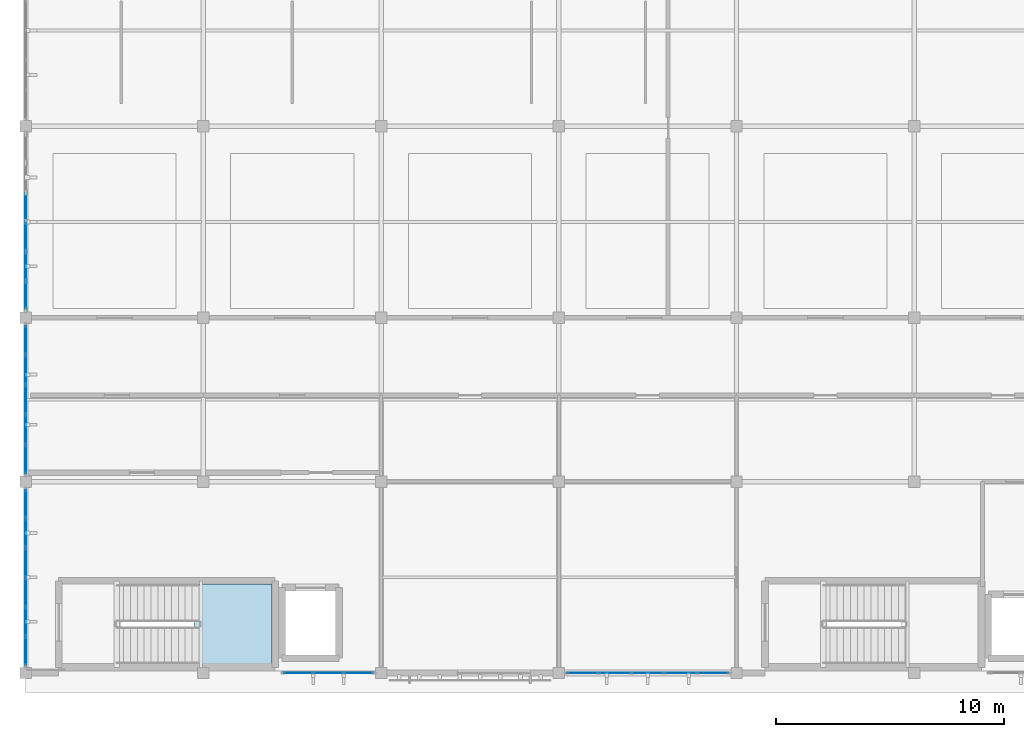
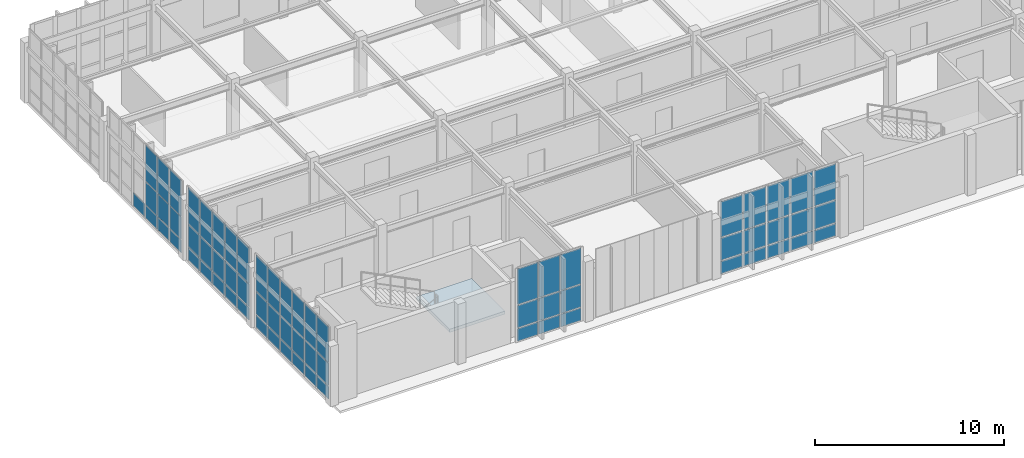
# One storey, part 9 of 20: 67 plates, 1 slab, 6 elements without a shape of their own.
"""IFC4 building model written with IfcOpenShell, lengths in metres."""

from ifc_helpers import new_model, si_unit, direction, frame, origin, origin_2d, place, context, subcontext, project, spatial, polyline, rectangle, outline, extrude, material, layer, layer_set, type_object, element, aggregate, save


model = new_model("IFC4")

# Units and contexts
model_context = context("Model", 3, precision=1e-05, world=origin(), true_north=direction((0.0, 1.0)))
body_context = subcontext(model_context, "Body", "Model", "MODEL_VIEW")
ifc_project = project(units=[si_unit("LENGTHUNIT", "METRE"), si_unit("AREAUNIT", "SQUARE_METRE"), si_unit("VOLUMEUNIT", "CUBIC_METRE"), si_unit("PLANEANGLEUNIT", "RADIAN"), si_unit("MASSUNIT", "GRAM", prefix="KILO")], contexts=[model_context])

# Site, building, storey
site_placement = place(None, origin())
site = spatial("IfcSite", under=ifc_project, at=site_placement, CompositionType="ELEMENT")
building_placement = place(site_placement, origin())
building = spatial("IfcBuilding", under=site, at=building_placement, Name="Tizgana Railside Sports Hall", CompositionType="ELEMENT")
storey_placement = place(building_placement, frame((0.0, 0.0, 19.800048828125)))
storey = spatial("IfcBuildingStorey", under=building, at=storey_placement, Name="L04", CompositionType="ELEMENT", Elevation=19.800048828125)

# Curtain wall, plates
ifc_material_1 = material(Name="Anodised aluminium and glass", Category="aluminium")
curtain_wall_type_1 = type_object("IfcCurtainWallType", Name="Unitised Curtain Wall Passage 1800", PredefinedType="NOTDEFINED", material=ifc_material_1)
curtain_wall_1_placement = place(storey_placement, origin())
curtain_wall_1 = element("IfcCurtainWall", 1, at=curtain_wall_1_placement, inside=storey, type_object=curtain_wall_type_1, Name="L04 Curtain Wall CW-0141", PredefinedType="NOTDEFINED")
ifc_material_2 = material(Name="Double low-E laminated glass", Category="glass")
ifc_layer_1 = layer(ifc_material_2, 0.033935546875, Name="Double low-E laminated glass")
ifc_layer_set_1 = layer_set([ifc_layer_1], Name="Double low-E laminated glass")
plate_type_1 = type_object("IfcPlateType", Name="Acoustic Laminated Glazing Panel 34", PredefinedType="CURTAIN_PANEL", material=ifc_layer_set_1)
plate_1_placement = place(storey_placement, frame((7.800048828125, 7.4296875, 0.06494140625), z_axis=(0.0, 0.0, 1.0), x_axis=(0.0, -1.0, 0.0)))
plate_1 = element("IfcPlate", 2, at=plate_1_placement, type_object=plate_type_1, Name="CW-06 panel 1.1", PredefinedType="CURTAIN_PANEL", context=body_context, shape_type="SweptSolid", body=[
    extrude(rectangle(XDim=1.200927734375, YDim=0.033935546875, at=origin_2d()), origin(), (0.0, 0.0, 1.0), 0.802490234375),
])
plate_2_placement = place(storey_placement, frame((7.800048828125, 7.4296875, 0.932373046875), z_axis=(0.0, 0.0, 1.0), x_axis=(0.0, -1.0, 0.0)))
plate_2 = element("IfcPlate", 3, at=plate_2_placement, type_object=plate_type_1, Name="CW-06 panel 1.2", PredefinedType="CURTAIN_PANEL", context=body_context, shape_type="SweptSolid", body=[
    extrude(rectangle(XDim=1.200927734375, YDim=0.033935546875, at=origin_2d()), origin(), (0.0, 0.0, 1.0), 1.43505859375),
])
plate_3_placement = place(storey_placement, frame((7.800048828125, 7.4296875, 2.4326171875), z_axis=(0.0, 0.0, 1.0), x_axis=(0.0, -1.0, 0.0)))
plate_3 = element("IfcPlate", 4, at=plate_3_placement, type_object=plate_type_1, Name="CW-06 panel 1.3", PredefinedType="CURTAIN_PANEL", context=body_context, shape_type="SweptSolid", body=[
    extrude(rectangle(XDim=1.200927734375, YDim=0.033935546875, at=origin_2d()), origin(), (0.0, 0.0, 1.0), 2.302490234375),
])
plate_4_placement = place(storey_placement, frame((7.800048828125, 6.1474609375, 0.06494140625), z_axis=(0.0, 0.0, 1.0), x_axis=(0.0, -1.0, 0.0)))
plate_4 = element("IfcPlate", 5, at=plate_4_placement, type_object=plate_type_1, Name="CW-06 panel 2.1", PredefinedType="CURTAIN_PANEL", context=body_context, shape_type="SweptSolid", body=[
    extrude(rectangle(XDim=1.2333984375, YDim=0.033935546875, at=origin_2d()), origin(), (0.0, 0.0, 1.0), 0.802490234375),
])
plate_5_placement = place(storey_placement, frame((7.800048828125, 6.1474609375, 0.932373046875), z_axis=(0.0, 0.0, 1.0), x_axis=(0.0, -1.0, 0.0)))
plate_5 = element("IfcPlate", 6, at=plate_5_placement, type_object=plate_type_1, Name="CW-06 panel 2.2", PredefinedType="CURTAIN_PANEL", context=body_context, shape_type="SweptSolid", body=[
    extrude(rectangle(XDim=1.2333984375, YDim=0.033935546875, at=origin_2d()), origin(), (0.0, 0.0, 1.0), 1.43505859375),
])
plate_6_placement = place(storey_placement, frame((7.800048828125, 6.1474609375, 2.4326171875), z_axis=(0.0, 0.0, 1.0), x_axis=(0.0, -1.0, 0.0)))
plate_6 = element("IfcPlate", 7, at=plate_6_placement, type_object=plate_type_1, Name="CW-06 panel 2.3", PredefinedType="CURTAIN_PANEL", context=body_context, shape_type="SweptSolid", body=[
    extrude(rectangle(XDim=1.2333984375, YDim=0.033935546875, at=origin_2d()), origin(), (0.0, 0.0, 1.0), 2.302490234375),
])
plate_7_placement = place(storey_placement, frame((7.800048828125, 4.84912109375, 0.06494140625), z_axis=(0.0, 0.0, 1.0), x_axis=(0.0, -1.0, 0.0)))
plate_7 = element("IfcPlate", 8, at=plate_7_placement, type_object=plate_type_1, Name="CW-06 panel 3.1", PredefinedType="CURTAIN_PANEL", context=body_context, shape_type="SweptSolid", body=[
    extrude(rectangle(XDim=1.2333984375, YDim=0.033935546875, at=origin_2d()), origin(), (0.0, 0.0, 1.0), 0.802490234375),
])
plate_8_placement = place(storey_placement, frame((7.800048828125, 4.84912109375, 0.932373046875), z_axis=(0.0, 0.0, 1.0), x_axis=(0.0, -1.0, 0.0)))
plate_8 = element("IfcPlate", 9, at=plate_8_placement, type_object=plate_type_1, Name="CW-06 panel 3.2", PredefinedType="CURTAIN_PANEL", context=body_context, shape_type="SweptSolid", body=[
    extrude(rectangle(XDim=1.2333984375, YDim=0.033935546875, at=origin_2d()), origin(), (0.0, 0.0, 1.0), 1.43505859375),
])
plate_9_placement = place(storey_placement, frame((7.800048828125, 4.84912109375, 2.4326171875), z_axis=(0.0, 0.0, 1.0), x_axis=(0.0, -1.0, 0.0)))
plate_9 = element("IfcPlate", 10, at=plate_9_placement, type_object=plate_type_1, Name="CW-06 panel 3.3", PredefinedType="CURTAIN_PANEL", context=body_context, shape_type="SweptSolid", body=[
    extrude(rectangle(XDim=1.2333984375, YDim=0.033935546875, at=origin_2d()), origin(), (0.0, 0.0, 1.0), 2.302490234375),
])
plate_10_placement = place(storey_placement, frame((7.800048828125, 3.55078125, 0.06494140625), z_axis=(0.0, 0.0, 1.0), x_axis=(0.0, -1.0, 0.0)))
plate_10 = element("IfcPlate", 11, at=plate_10_placement, type_object=plate_type_1, Name="CW-06 panel 4.1", PredefinedType="CURTAIN_PANEL", context=body_context, shape_type="SweptSolid", body=[
    extrude(rectangle(XDim=1.2333984375, YDim=0.033935546875, at=origin_2d()), origin(), (0.0, 0.0, 1.0), 0.802490234375),
])
plate_11_placement = place(storey_placement, frame((7.800048828125, 3.55078125, 0.932373046875), z_axis=(0.0, 0.0, 1.0), x_axis=(0.0, -1.0, 0.0)))
plate_11 = element("IfcPlate", 12, at=plate_11_placement, type_object=plate_type_1, Name="CW-06 panel 4.2", PredefinedType="CURTAIN_PANEL", context=body_context, shape_type="SweptSolid", body=[
    extrude(rectangle(XDim=1.2333984375, YDim=0.033935546875, at=origin_2d()), origin(), (0.0, 0.0, 1.0), 1.43505859375),
])
plate_12_placement = place(storey_placement, frame((7.800048828125, 3.55078125, 2.4326171875), z_axis=(0.0, 0.0, 1.0), x_axis=(0.0, -1.0, 0.0)))
plate_12 = element("IfcPlate", 13, at=plate_12_placement, type_object=plate_type_1, Name="CW-06 panel 4.3", PredefinedType="CURTAIN_PANEL", context=body_context, shape_type="SweptSolid", body=[
    extrude(rectangle(XDim=1.2333984375, YDim=0.033935546875, at=origin_2d()), origin(), (0.0, 0.0, 1.0), 2.302490234375),
])
plate_13_placement = place(storey_placement, frame((7.800048828125, 2.25244140625, 0.06494140625), z_axis=(0.0, 0.0, 1.0), x_axis=(0.0, -1.0, 0.0)))
plate_13 = element("IfcPlate", 14, at=plate_13_placement, type_object=plate_type_1, Name="CW-06 panel 5.1", PredefinedType="CURTAIN_PANEL", context=body_context, shape_type="SweptSolid", body=[
    extrude(rectangle(XDim=1.2333984375, YDim=0.033935546875, at=origin_2d()), origin(), (0.0, 0.0, 1.0), 0.802490234375),
])
plate_14_placement = place(storey_placement, frame((7.800048828125, 2.25244140625, 0.932373046875), z_axis=(0.0, 0.0, 1.0), x_axis=(0.0, -1.0, 0.0)))
plate_14 = element("IfcPlate", 15, at=plate_14_placement, type_object=plate_type_1, Name="CW-06 panel 5.2", PredefinedType="CURTAIN_PANEL", context=body_context, shape_type="SweptSolid", body=[
    extrude(rectangle(XDim=1.2333984375, YDim=0.033935546875, at=origin_2d()), origin(), (0.0, 0.0, 1.0), 1.43505859375),
])
plate_15_placement = place(storey_placement, frame((7.800048828125, 2.25244140625, 2.4326171875), z_axis=(0.0, 0.0, 1.0), x_axis=(0.0, -1.0, 0.0)))
plate_15 = element("IfcPlate", 16, at=plate_15_placement, type_object=plate_type_1, Name="CW-06 panel 5.3", PredefinedType="CURTAIN_PANEL", context=body_context, shape_type="SweptSolid", body=[
    extrude(rectangle(XDim=1.2333984375, YDim=0.033935546875, at=origin_2d()), origin(), (0.0, 0.0, 1.0), 2.302490234375),
])
plate_16_placement = place(storey_placement, frame((7.800048828125, 0.970458984375, 0.06494140625), z_axis=(0.0, 0.0, 1.0), x_axis=(0.0, -1.0, 0.0)))
plate_16 = element("IfcPlate", 17, at=plate_16_placement, type_object=plate_type_1, Name="CW-06 panel 6.1", PredefinedType="CURTAIN_PANEL", context=body_context, shape_type="SweptSolid", body=[
    extrude(rectangle(XDim=1.200927734375, YDim=0.033935546875, at=origin_2d()), origin(), (0.0, 0.0, 1.0), 0.802490234375),
])
plate_17_placement = place(storey_placement, frame((7.800048828125, 0.970458984375, 0.932373046875), z_axis=(0.0, 0.0, 1.0), x_axis=(0.0, -1.0, 0.0)))
plate_17 = element("IfcPlate", 18, at=plate_17_placement, type_object=plate_type_1, Name="CW-06 panel 6.2", PredefinedType="CURTAIN_PANEL", context=body_context, shape_type="SweptSolid", body=[
    extrude(rectangle(XDim=1.200927734375, YDim=0.033935546875, at=origin_2d()), origin(), (0.0, 0.0, 1.0), 1.43505859375),
])
plate_18_placement = place(storey_placement, frame((7.800048828125, 0.970458984375, 2.4326171875), z_axis=(0.0, 0.0, 1.0), x_axis=(0.0, -1.0, 0.0)))
plate_18 = element("IfcPlate", 19, at=plate_18_placement, type_object=plate_type_1, Name="CW-06 panel 6.3", PredefinedType="CURTAIN_PANEL", context=body_context, shape_type="SweptSolid", body=[
    extrude(rectangle(XDim=1.200927734375, YDim=0.033935546875, at=origin_2d()), origin(), (0.0, 0.0, 1.0), 2.302490234375),
])
aggregate(curtain_wall_1, [plate_1, plate_2, plate_3, plate_4, plate_5, plate_6, plate_7, plate_8, plate_9, plate_10, plate_11, plate_12, plate_13, plate_14, plate_15, plate_16, plate_17, plate_18])

# Stair, slab
ifc_material_3 = material(Name="Concrete C35/45", Category="concrete")
stair_type = type_object("IfcStairType", Name="Core Protected Stair 1500", PredefinedType="HALF_TURN_STAIR", material=ifc_material_3)
stair_placement = place(storey_placement, origin())
stair = element("IfcStair", 20, at=stair_placement, inside=storey, type_object=stair_type, Name="L04 Core Stair ST-01", PredefinedType="HALF_TURN_STAIR")
ifc_layer_2 = layer(ifc_material_3, 0.199951171875, Name="Concrete C35/45")
ifc_layer_set_2 = layer_set([ifc_layer_2], Name="Concrete C35/45")
slab_type = type_object("IfcSlabType", Name="Core Stair Landing Slab 200", PredefinedType="LANDING", material=ifc_layer_set_2)
slab_placement = place(storey_placement, frame((0.0, 0.0, 1.75)))
slab = element("IfcSlab", 21, at=slab_placement, type_object=slab_type, Name="ST-01 landing 1", PredefinedType="LANDING", context=body_context, shape_type="SweptSolid", body=[
    extrude(outline(polyline([(15.219970703125, 0.39990234375), (18.60009765625, 0.39990234375), (18.60009765625, 3.89990234375), (15.219970703125, 3.89990234375), (15.219970703125, 0.39990234375)])), origin(), (0.0, 0.0, 1.0), 0.199951171875),
])
aggregate(stair, [slab])

# Curtain wall, plates
curtain_wall_type_2 = type_object("IfcCurtainWallType", Name="Unitised Curtain Wall WestHall 1560", PredefinedType="NOTDEFINED", material=ifc_material_1)
curtain_wall_2_placement = place(storey_placement, origin())
curtain_wall_2 = element("IfcCurtainWall", 22, at=curtain_wall_2_placement, inside=storey, type_object=curtain_wall_type_2, Name="L04 Curtain Wall CW-0134", PredefinedType="NOTDEFINED")
ifc_layer_3 = layer(ifc_material_2, 0.0400390625, Name="Double low-E laminated glass")
ifc_layer_set_3 = layer_set([ifc_layer_3], Name="Double low-E laminated glass")
plate_type_2 = type_object("IfcPlateType", Name="High-Span Tempered Glazing Panel 40", PredefinedType="CURTAIN_PANEL", material=ifc_layer_set_3)
plate_19_placement = place(storey_placement, frame((22.410888671875, 0.0, 0.059814453125), z_axis=(0.0, 0.0, 1.0), x_axis=(-1.0, 0.0, 0.0)))
plate_19 = element("IfcPlate", 23, at=plate_19_placement, type_object=plate_type_2, Name="CW-07 panel 1.1", PredefinedType="CURTAIN_PANEL", context=body_context, shape_type="SweptSolid", body=[
    extrude(rectangle(XDim=1.248291015625, YDim=0.0400390625, at=origin_2d()), origin(), (0.0, 0.0, 1.0), 0.81005859375),
])
plate_20_placement = place(storey_placement, frame((22.410888671875, 0.0, 0.929931640625), z_axis=(0.0, 0.0, 1.0), x_axis=(-1.0, 0.0, 0.0)))
plate_20 = element("IfcPlate", 24, at=plate_20_placement, type_object=plate_type_2, Name="CW-07 panel 1.2", PredefinedType="CURTAIN_PANEL", context=body_context, shape_type="SweptSolid", body=[
    extrude(rectangle(XDim=1.248291015625, YDim=0.0400390625, at=origin_2d()), origin(), (0.0, 0.0, 1.0), 1.43994140625),
])
plate_21_placement = place(storey_placement, frame((22.410888671875, 0.0, 2.429931640625), z_axis=(0.0, 0.0, 1.0), x_axis=(-1.0, 0.0, 0.0)))
plate_21 = element("IfcPlate", 25, at=plate_21_placement, type_object=plate_type_2, Name="CW-07 panel 1.3", PredefinedType="CURTAIN_PANEL", context=body_context, shape_type="SweptSolid", body=[
    extrude(rectangle(XDim=1.248291015625, YDim=0.0400390625, at=origin_2d()), origin(), (0.0, 0.0, 1.0), 2.31005859375),
])
plate_22_placement = place(storey_placement, frame((21.08740234375, 0.0, 0.059814453125), z_axis=(0.0, 0.0, 1.0), x_axis=(-1.0, 0.0, 0.0)))
plate_22 = element("IfcPlate", 26, at=plate_22_placement, type_object=plate_type_2, Name="CW-07 panel 2.1", PredefinedType="CURTAIN_PANEL", context=body_context, shape_type="SweptSolid", body=[
    extrude(rectangle(XDim=1.2783203125, YDim=0.0400390625, at=origin_2d()), origin(), (0.0, 0.0, 1.0), 0.81005859375),
])
plate_23_placement = place(storey_placement, frame((21.08740234375, 0.0, 0.929931640625), z_axis=(0.0, 0.0, 1.0), x_axis=(-1.0, 0.0, 0.0)))
plate_23 = element("IfcPlate", 27, at=plate_23_placement, type_object=plate_type_2, Name="CW-07 panel 2.2", PredefinedType="CURTAIN_PANEL", context=body_context, shape_type="SweptSolid", body=[
    extrude(rectangle(XDim=1.2783203125, YDim=0.0400390625, at=origin_2d()), origin(), (0.0, 0.0, 1.0), 1.43994140625),
])
plate_24_placement = place(storey_placement, frame((21.08740234375, 0.0, 2.429931640625), z_axis=(0.0, 0.0, 1.0), x_axis=(-1.0, 0.0, 0.0)))
plate_24 = element("IfcPlate", 28, at=plate_24_placement, type_object=plate_type_2, Name="CW-07 panel 2.3", PredefinedType="CURTAIN_PANEL", context=body_context, shape_type="SweptSolid", body=[
    extrude(rectangle(XDim=1.2783203125, YDim=0.0400390625, at=origin_2d()), origin(), (0.0, 0.0, 1.0), 2.31005859375),
])
plate_25_placement = place(storey_placement, frame((19.76416015625, 0.0, 0.059814453125), z_axis=(0.0, 0.0, 1.0), x_axis=(-1.0, 0.0, 0.0)))
plate_25 = element("IfcPlate", 29, at=plate_25_placement, type_object=plate_type_2, Name="CW-07 panel 3.1", PredefinedType="CURTAIN_PANEL", context=body_context, shape_type="SweptSolid", body=[
    extrude(rectangle(XDim=1.248291015625, YDim=0.0400390625, at=origin_2d()), origin(), (0.0, 0.0, 1.0), 0.81005859375),
])
plate_26_placement = place(storey_placement, frame((19.76416015625, 0.0, 0.929931640625), z_axis=(0.0, 0.0, 1.0), x_axis=(-1.0, 0.0, 0.0)))
plate_26 = element("IfcPlate", 30, at=plate_26_placement, type_object=plate_type_2, Name="CW-07 panel 3.2", PredefinedType="CURTAIN_PANEL", context=body_context, shape_type="SweptSolid", body=[
    extrude(rectangle(XDim=1.248291015625, YDim=0.0400390625, at=origin_2d()), origin(), (0.0, 0.0, 1.0), 1.43994140625),
])
plate_27_placement = place(storey_placement, frame((19.76416015625, 0.0, 2.429931640625), z_axis=(0.0, 0.0, 1.0), x_axis=(-1.0, 0.0, 0.0)))
plate_27 = element("IfcPlate", 31, at=plate_27_placement, type_object=plate_type_2, Name="CW-07 panel 3.3", PredefinedType="CURTAIN_PANEL", context=body_context, shape_type="SweptSolid", body=[
    extrude(rectangle(XDim=1.248291015625, YDim=0.0400390625, at=origin_2d()), origin(), (0.0, 0.0, 1.0), 2.31005859375),
])
aggregate(curtain_wall_2, [plate_19, plate_20, plate_21, plate_22, plate_23, plate_24, plate_25, plate_26, plate_27])

curtain_wall_3_placement = place(storey_placement, origin())
curtain_wall_3 = element("IfcCurtainWall", 32, at=curtain_wall_3_placement, inside=storey, type_object=curtain_wall_type_2, Name="L04 Curtain Wall CW-0142", PredefinedType="NOTDEFINED")
plate_28_placement = place(storey_placement, frame((7.800048828125, 14.618408203125, 0.070068359375), z_axis=(0.0, 0.0, 1.0), x_axis=(0.0, -1.0, 0.0)))
plate_28 = element("IfcPlate", 33, at=plate_28_placement, type_object=plate_type_2, Name="CW-07 panel 1.1", PredefinedType="CURTAIN_PANEL", context=body_context, shape_type="SweptSolid", body=[
    extrude(rectangle(XDim=1.212890625, YDim=0.0400390625, at=origin_2d()), origin(), (0.0, 0.0, 1.0), 0.794921875),
])
plate_29_placement = place(storey_placement, frame((7.800048828125, 14.618408203125, 0.93505859375), z_axis=(0.0, 0.0, 1.0), x_axis=(0.0, -1.0, 0.0)))
plate_29 = element("IfcPlate", 34, at=plate_29_placement, type_object=plate_type_2, Name="CW-07 panel 1.2", PredefinedType="CURTAIN_PANEL", context=body_context, shape_type="SweptSolid", body=[
    extrude(rectangle(XDim=1.212890625, YDim=0.0400390625, at=origin_2d()), origin(), (0.0, 0.0, 1.0), 1.429931640625),
])
plate_30_placement = place(storey_placement, frame((7.800048828125, 14.618408203125, 2.43505859375), z_axis=(0.0, 0.0, 1.0), x_axis=(0.0, -1.0, 0.0)))
plate_30 = element("IfcPlate", 35, at=plate_30_placement, type_object=plate_type_2, Name="CW-07 panel 1.3", PredefinedType="CURTAIN_PANEL", context=body_context, shape_type="SweptSolid", body=[
    extrude(rectangle(XDim=1.212890625, YDim=0.0400390625, at=origin_2d()), origin(), (0.0, 0.0, 1.0), 2.294921875),
])
plate_31_placement = place(storey_placement, frame((7.800048828125, 13.318115234375, 0.070068359375), z_axis=(0.0, 0.0, 1.0), x_axis=(0.0, -1.0, 0.0)))
plate_31 = element("IfcPlate", 36, at=plate_31_placement, type_object=plate_type_2, Name="CW-07 panel 2.1", PredefinedType="CURTAIN_PANEL", context=body_context, shape_type="SweptSolid", body=[
    extrude(rectangle(XDim=1.248046875, YDim=0.0400390625, at=origin_2d()), origin(), (0.0, 0.0, 1.0), 0.794921875),
])
plate_32_placement = place(storey_placement, frame((7.800048828125, 13.318115234375, 0.93505859375), z_axis=(0.0, 0.0, 1.0), x_axis=(0.0, -1.0, 0.0)))
plate_32 = element("IfcPlate", 37, at=plate_32_placement, type_object=plate_type_2, Name="CW-07 panel 2.2", PredefinedType="CURTAIN_PANEL", context=body_context, shape_type="SweptSolid", body=[
    extrude(rectangle(XDim=1.248046875, YDim=0.0400390625, at=origin_2d()), origin(), (0.0, 0.0, 1.0), 1.429931640625),
])
plate_33_placement = place(storey_placement, frame((7.800048828125, 13.318115234375, 2.43505859375), z_axis=(0.0, 0.0, 1.0), x_axis=(0.0, -1.0, 0.0)))
plate_33 = element("IfcPlate", 38, at=plate_33_placement, type_object=plate_type_2, Name="CW-07 panel 2.3", PredefinedType="CURTAIN_PANEL", context=body_context, shape_type="SweptSolid", body=[
    extrude(rectangle(XDim=1.248046875, YDim=0.0400390625, at=origin_2d()), origin(), (0.0, 0.0, 1.0), 2.294921875),
])
plate_34_placement = place(storey_placement, frame((7.800048828125, 12.0, 0.070068359375), z_axis=(0.0, 0.0, 1.0), x_axis=(0.0, -1.0, 0.0)))
plate_34 = element("IfcPlate", 39, at=plate_34_placement, type_object=plate_type_2, Name="CW-07 panel 3.1", PredefinedType="CURTAIN_PANEL", context=body_context, shape_type="SweptSolid", body=[
    extrude(rectangle(XDim=1.248046875, YDim=0.0400390625, at=origin_2d()), origin(), (0.0, 0.0, 1.0), 0.794921875),
])
plate_35_placement = place(storey_placement, frame((7.800048828125, 12.0, 0.93505859375), z_axis=(0.0, 0.0, 1.0), x_axis=(0.0, -1.0, 0.0)))
plate_35 = element("IfcPlate", 40, at=plate_35_placement, type_object=plate_type_2, Name="CW-07 panel 3.2", PredefinedType="CURTAIN_PANEL", context=body_context, shape_type="SweptSolid", body=[
    extrude(rectangle(XDim=1.248046875, YDim=0.0400390625, at=origin_2d()), origin(), (0.0, 0.0, 1.0), 1.429931640625),
])
plate_36_placement = place(storey_placement, frame((7.800048828125, 12.0, 2.43505859375), z_axis=(0.0, 0.0, 1.0), x_axis=(0.0, -1.0, 0.0)))
plate_36 = element("IfcPlate", 41, at=plate_36_placement, type_object=plate_type_2, Name="CW-07 panel 3.3", PredefinedType="CURTAIN_PANEL", context=body_context, shape_type="SweptSolid", body=[
    extrude(rectangle(XDim=1.248046875, YDim=0.0400390625, at=origin_2d()), origin(), (0.0, 0.0, 1.0), 2.294921875),
])
plate_37_placement = place(storey_placement, frame((7.800048828125, 10.681884765625, 0.070068359375), z_axis=(0.0, 0.0, 1.0), x_axis=(0.0, -1.0, 0.0)))
plate_37 = element("IfcPlate", 42, at=plate_37_placement, type_object=plate_type_2, Name="CW-07 panel 4.1", PredefinedType="CURTAIN_PANEL", context=body_context, shape_type="SweptSolid", body=[
    extrude(rectangle(XDim=1.248046875, YDim=0.0400390625, at=origin_2d()), origin(), (0.0, 0.0, 1.0), 0.794921875),
])
plate_38_placement = place(storey_placement, frame((7.800048828125, 10.681884765625, 0.93505859375), z_axis=(0.0, 0.0, 1.0), x_axis=(0.0, -1.0, 0.0)))
plate_38 = element("IfcPlate", 43, at=plate_38_placement, type_object=plate_type_2, Name="CW-07 panel 4.2", PredefinedType="CURTAIN_PANEL", context=body_context, shape_type="SweptSolid", body=[
    extrude(rectangle(XDim=1.248046875, YDim=0.0400390625, at=origin_2d()), origin(), (0.0, 0.0, 1.0), 1.429931640625),
])
plate_39_placement = place(storey_placement, frame((7.800048828125, 10.681884765625, 2.43505859375), z_axis=(0.0, 0.0, 1.0), x_axis=(0.0, -1.0, 0.0)))
plate_39 = element("IfcPlate", 44, at=plate_39_placement, type_object=plate_type_2, Name="CW-07 panel 4.3", PredefinedType="CURTAIN_PANEL", context=body_context, shape_type="SweptSolid", body=[
    extrude(rectangle(XDim=1.248046875, YDim=0.0400390625, at=origin_2d()), origin(), (0.0, 0.0, 1.0), 2.294921875),
])
plate_40_placement = place(storey_placement, frame((7.800048828125, 9.381591796875, 0.070068359375), z_axis=(0.0, 0.0, 1.0), x_axis=(0.0, -1.0, 0.0)))
plate_40 = element("IfcPlate", 45, at=plate_40_placement, type_object=plate_type_2, Name="CW-07 panel 5.1", PredefinedType="CURTAIN_PANEL", context=body_context, shape_type="SweptSolid", body=[
    extrude(rectangle(XDim=1.212890625, YDim=0.0400390625, at=origin_2d()), origin(), (0.0, 0.0, 1.0), 0.794921875),
])
plate_41_placement = place(storey_placement, frame((7.800048828125, 9.381591796875, 0.93505859375), z_axis=(0.0, 0.0, 1.0), x_axis=(0.0, -1.0, 0.0)))
plate_41 = element("IfcPlate", 46, at=plate_41_placement, type_object=plate_type_2, Name="CW-07 panel 5.2", PredefinedType="CURTAIN_PANEL", context=body_context, shape_type="SweptSolid", body=[
    extrude(rectangle(XDim=1.212890625, YDim=0.0400390625, at=origin_2d()), origin(), (0.0, 0.0, 1.0), 1.429931640625),
])
plate_42_placement = place(storey_placement, frame((7.800048828125, 9.381591796875, 2.43505859375), z_axis=(0.0, 0.0, 1.0), x_axis=(0.0, -1.0, 0.0)))
plate_42 = element("IfcPlate", 47, at=plate_42_placement, type_object=plate_type_2, Name="CW-07 panel 5.3", PredefinedType="CURTAIN_PANEL", context=body_context, shape_type="SweptSolid", body=[
    extrude(rectangle(XDim=1.212890625, YDim=0.0400390625, at=origin_2d()), origin(), (0.0, 0.0, 1.0), 2.294921875),
])
aggregate(curtain_wall_3, [plate_28, plate_29, plate_30, plate_31, plate_32, plate_33, plate_34, plate_35, plate_36, plate_37, plate_38, plate_39, plate_40, plate_41, plate_42])

curtain_wall_type_3 = type_object("IfcCurtainWallType", Name="Unitised Curtain Wall EastHall 1500", PredefinedType="NOTDEFINED", material=ifc_material_1)
curtain_wall_4_placement = place(storey_placement, origin())
curtain_wall_4 = element("IfcCurtainWall", 48, at=curtain_wall_4_placement, inside=storey, type_object=curtain_wall_type_3, Name="L04 Curtain Wall CW-0135", PredefinedType="NOTDEFINED")
ifc_layer_4 = layer(ifc_material_2, 0.031982421875, Name="Double low-E laminated glass")
ifc_layer_set_4 = layer_set([ifc_layer_4], Name="Double low-E laminated glass")
plate_type_3 = type_object("IfcPlateType", Name="North-Light Clerestory Glazing Panel 32", PredefinedType="CURTAIN_PANEL", material=ifc_layer_set_4)
plate_43_placement = place(storey_placement, frame((37.959716796875, 0.0, 0.06494140625), z_axis=(0.0, 0.0, 1.0), x_axis=(-1.0, 0.0, 0.0)))
plate_43 = element("IfcPlate", 49, at=plate_43_placement, type_object=plate_type_3, Name="CW-08 panel 1.1", PredefinedType="CURTAIN_PANEL", context=body_context, shape_type="SweptSolid", body=[
    extrude(rectangle(XDim=1.340576171875, YDim=0.031982421875, at=origin_2d()), origin(), (0.0, 0.0, 1.0), 0.802490234375),
])
plate_44_placement = place(storey_placement, frame((37.959716796875, 0.0, 0.932373046875), z_axis=(0.0, 0.0, 1.0), x_axis=(-1.0, 0.0, 0.0)))
plate_44 = element("IfcPlate", 50, at=plate_44_placement, type_object=plate_type_3, Name="CW-08 panel 1.2", PredefinedType="CURTAIN_PANEL", context=body_context, shape_type="SweptSolid", body=[
    extrude(rectangle(XDim=1.340576171875, YDim=0.031982421875, at=origin_2d()), origin(), (0.0, 0.0, 1.0), 1.43505859375),
])
plate_45_placement = place(storey_placement, frame((37.959716796875, 0.0, 2.4326171875), z_axis=(0.0, 0.0, 1.0), x_axis=(-1.0, 0.0, 0.0)))
plate_45 = element("IfcPlate", 51, at=plate_45_placement, type_object=plate_type_3, Name="CW-08 panel 1.3", PredefinedType="CURTAIN_PANEL", context=body_context, shape_type="SweptSolid", body=[
    extrude(rectangle(XDim=1.340576171875, YDim=0.031982421875, at=origin_2d()), origin(), (0.0, 0.0, 1.0), 2.302490234375),
])
plate_46_placement = place(storey_placement, frame((36.5380859375, 0.0, 0.06494140625), z_axis=(0.0, 0.0, 1.0), x_axis=(-1.0, 0.0, 0.0)))
plate_46 = element("IfcPlate", 52, at=plate_46_placement, type_object=plate_type_3, Name="CW-08 panel 2.1", PredefinedType="CURTAIN_PANEL", context=body_context, shape_type="SweptSolid", body=[
    extrude(rectangle(XDim=1.373046875, YDim=0.031982421875, at=origin_2d()), origin(), (0.0, 0.0, 1.0), 0.802490234375),
])
plate_47_placement = place(storey_placement, frame((36.5380859375, 0.0, 0.932373046875), z_axis=(0.0, 0.0, 1.0), x_axis=(-1.0, 0.0, 0.0)))
plate_47 = element("IfcPlate", 53, at=plate_47_placement, type_object=plate_type_3, Name="CW-08 panel 2.2", PredefinedType="CURTAIN_PANEL", context=body_context, shape_type="SweptSolid", body=[
    extrude(rectangle(XDim=1.373046875, YDim=0.031982421875, at=origin_2d()), origin(), (0.0, 0.0, 1.0), 1.43505859375),
])
plate_48_placement = place(storey_placement, frame((36.5380859375, 0.0, 2.4326171875), z_axis=(0.0, 0.0, 1.0), x_axis=(-1.0, 0.0, 0.0)))
plate_48 = element("IfcPlate", 54, at=plate_48_placement, type_object=plate_type_3, Name="CW-08 panel 2.3", PredefinedType="CURTAIN_PANEL", context=body_context, shape_type="SweptSolid", body=[
    extrude(rectangle(XDim=1.373046875, YDim=0.031982421875, at=origin_2d()), origin(), (0.0, 0.0, 1.0), 2.302490234375),
])
plate_49_placement = place(storey_placement, frame((35.10009765625, 0.0, 0.06494140625), z_axis=(0.0, 0.0, 1.0), x_axis=(-1.0, 0.0, 0.0)))
plate_49 = element("IfcPlate", 55, at=plate_49_placement, type_object=plate_type_3, Name="CW-08 panel 3.1", PredefinedType="CURTAIN_PANEL", context=body_context, shape_type="SweptSolid", body=[
    extrude(rectangle(XDim=1.373046875, YDim=0.031982421875, at=origin_2d()), origin(), (0.0, 0.0, 1.0), 0.802490234375),
])
plate_50_placement = place(storey_placement, frame((35.10009765625, 0.0, 0.932373046875), z_axis=(0.0, 0.0, 1.0), x_axis=(-1.0, 0.0, 0.0)))
plate_50 = element("IfcPlate", 56, at=plate_50_placement, type_object=plate_type_3, Name="CW-08 panel 3.2", PredefinedType="CURTAIN_PANEL", context=body_context, shape_type="SweptSolid", body=[
    extrude(rectangle(XDim=1.373046875, YDim=0.031982421875, at=origin_2d()), origin(), (0.0, 0.0, 1.0), 1.43505859375),
])
plate_51_placement = place(storey_placement, frame((35.10009765625, 0.0, 2.4326171875), z_axis=(0.0, 0.0, 1.0), x_axis=(-1.0, 0.0, 0.0)))
plate_51 = element("IfcPlate", 57, at=plate_51_placement, type_object=plate_type_3, Name="CW-08 panel 3.3", PredefinedType="CURTAIN_PANEL", context=body_context, shape_type="SweptSolid", body=[
    extrude(rectangle(XDim=1.373046875, YDim=0.031982421875, at=origin_2d()), origin(), (0.0, 0.0, 1.0), 2.302490234375),
])
plate_52_placement = place(storey_placement, frame((33.662109375, 0.0, 0.06494140625), z_axis=(0.0, 0.0, 1.0), x_axis=(-1.0, 0.0, 0.0)))
plate_52 = element("IfcPlate", 58, at=plate_52_placement, type_object=plate_type_3, Name="CW-08 panel 4.1", PredefinedType="CURTAIN_PANEL", context=body_context, shape_type="SweptSolid", body=[
    extrude(rectangle(XDim=1.373046875, YDim=0.031982421875, at=origin_2d()), origin(), (0.0, 0.0, 1.0), 0.802490234375),
])
plate_53_placement = place(storey_placement, frame((33.662109375, 0.0, 0.932373046875), z_axis=(0.0, 0.0, 1.0), x_axis=(-1.0, 0.0, 0.0)))
plate_53 = element("IfcPlate", 59, at=plate_53_placement, type_object=plate_type_3, Name="CW-08 panel 4.2", PredefinedType="CURTAIN_PANEL", context=body_context, shape_type="SweptSolid", body=[
    extrude(rectangle(XDim=1.373046875, YDim=0.031982421875, at=origin_2d()), origin(), (0.0, 0.0, 1.0), 1.43505859375),
])
plate_54_placement = place(storey_placement, frame((33.662109375, 0.0, 2.4326171875), z_axis=(0.0, 0.0, 1.0), x_axis=(-1.0, 0.0, 0.0)))
plate_54 = element("IfcPlate", 60, at=plate_54_placement, type_object=plate_type_3, Name="CW-08 panel 4.3", PredefinedType="CURTAIN_PANEL", context=body_context, shape_type="SweptSolid", body=[
    extrude(rectangle(XDim=1.373046875, YDim=0.031982421875, at=origin_2d()), origin(), (0.0, 0.0, 1.0), 2.302490234375),
])
plate_55_placement = place(storey_placement, frame((32.240234375, 0.0, 0.06494140625), z_axis=(0.0, 0.0, 1.0), x_axis=(-1.0, 0.0, 0.0)))
plate_55 = element("IfcPlate", 61, at=plate_55_placement, type_object=plate_type_3, Name="CW-08 panel 5.1", PredefinedType="CURTAIN_PANEL", context=body_context, shape_type="SweptSolid", body=[
    extrude(rectangle(XDim=1.340576171875, YDim=0.031982421875, at=origin_2d()), origin(), (0.0, 0.0, 1.0), 0.802490234375),
])
plate_56_placement = place(storey_placement, frame((32.240234375, 0.0, 0.932373046875), z_axis=(0.0, 0.0, 1.0), x_axis=(-1.0, 0.0, 0.0)))
plate_56 = element("IfcPlate", 62, at=plate_56_placement, type_object=plate_type_3, Name="CW-08 panel 5.2", PredefinedType="CURTAIN_PANEL", context=body_context, shape_type="SweptSolid", body=[
    extrude(rectangle(XDim=1.340576171875, YDim=0.031982421875, at=origin_2d()), origin(), (0.0, 0.0, 1.0), 1.43505859375),
])
plate_57_placement = place(storey_placement, frame((32.240234375, 0.0, 2.4326171875), z_axis=(0.0, 0.0, 1.0), x_axis=(-1.0, 0.0, 0.0)))
plate_57 = element("IfcPlate", 63, at=plate_57_placement, type_object=plate_type_3, Name="CW-08 panel 5.3", PredefinedType="CURTAIN_PANEL", context=body_context, shape_type="SweptSolid", body=[
    extrude(rectangle(XDim=1.340576171875, YDim=0.031982421875, at=origin_2d()), origin(), (0.0, 0.0, 1.0), 2.302490234375),
])
aggregate(curtain_wall_4, [plate_43, plate_44, plate_45, plate_46, plate_47, plate_48, plate_49, plate_50, plate_51, plate_52, plate_53, plate_54, plate_55, plate_56, plate_57])

curtain_wall_5_placement = place(storey_placement, origin())
curtain_wall_5 = element("IfcCurtainWall", 64, at=curtain_wall_5_placement, inside=storey, type_object=curtain_wall_type_3, Name="L04 Curtain Wall CW-0143", PredefinedType="NOTDEFINED")
plate_58_placement = place(storey_placement, frame((7.800048828125, 20.44921875, 0.054931640625), z_axis=(0.0, 0.0, 1.0), x_axis=(0.0, -1.0, 0.0)))
plate_58 = element("IfcPlate", 65, at=plate_58_placement, type_object=plate_type_3, Name="CW-08 panel 3.1", PredefinedType="CURTAIN_PANEL", context=body_context, shape_type="SweptSolid", body=[
    extrude(rectangle(XDim=1.223388671875, YDim=0.031982421875, at=origin_2d()), origin(), (0.0, 0.0, 1.0), 0.8173828125),
])
plate_59_placement = place(storey_placement, frame((7.800048828125, 19.15087890625, 0.054931640625), z_axis=(0.0, 0.0, 1.0), x_axis=(0.0, -1.0, 0.0)))
plate_59 = element("IfcPlate", 66, at=plate_59_placement, type_object=plate_type_3, Name="CW-08 panel 4.1", PredefinedType="CURTAIN_PANEL", context=body_context, shape_type="SweptSolid", body=[
    extrude(rectangle(XDim=1.223388671875, YDim=0.031982421875, at=origin_2d()), origin(), (0.0, 0.0, 1.0), 0.8173828125),
])
plate_60_placement = place(storey_placement, frame((7.800048828125, 19.15087890625, 0.92724609375), z_axis=(0.0, 0.0, 1.0), x_axis=(0.0, -1.0, 0.0)))
plate_60 = element("IfcPlate", 67, at=plate_60_placement, type_object=plate_type_3, Name="CW-08 panel 4.2", PredefinedType="CURTAIN_PANEL", context=body_context, shape_type="SweptSolid", body=[
    extrude(rectangle(XDim=1.223388671875, YDim=0.031982421875, at=origin_2d()), origin(), (0.0, 0.0, 1.0), 1.445068359375),
])
plate_61_placement = place(storey_placement, frame((7.800048828125, 19.15087890625, 2.427490234375), z_axis=(0.0, 0.0, 1.0), x_axis=(0.0, -1.0, 0.0)))
plate_61 = element("IfcPlate", 68, at=plate_61_placement, type_object=plate_type_3, Name="CW-08 panel 4.3", PredefinedType="CURTAIN_PANEL", context=body_context, shape_type="SweptSolid", body=[
    extrude(rectangle(XDim=1.223388671875, YDim=0.031982421875, at=origin_2d()), origin(), (0.0, 0.0, 1.0), 2.3173828125),
])
plate_62_placement = place(storey_placement, frame((7.800048828125, 17.8525390625, 0.054931640625), z_axis=(0.0, 0.0, 1.0), x_axis=(0.0, -1.0, 0.0)))
plate_62 = element("IfcPlate", 69, at=plate_62_placement, type_object=plate_type_3, Name="CW-08 panel 5.1", PredefinedType="CURTAIN_PANEL", context=body_context, shape_type="SweptSolid", body=[
    extrude(rectangle(XDim=1.223388671875, YDim=0.031982421875, at=origin_2d()), origin(), (0.0, 0.0, 1.0), 0.8173828125),
])
plate_63_placement = place(storey_placement, frame((7.800048828125, 17.8525390625, 0.92724609375), z_axis=(0.0, 0.0, 1.0), x_axis=(0.0, -1.0, 0.0)))
plate_63 = element("IfcPlate", 70, at=plate_63_placement, type_object=plate_type_3, Name="CW-08 panel 5.2", PredefinedType="CURTAIN_PANEL", context=body_context, shape_type="SweptSolid", body=[
    extrude(rectangle(XDim=1.223388671875, YDim=0.031982421875, at=origin_2d()), origin(), (0.0, 0.0, 1.0), 1.445068359375),
])
plate_64_placement = place(storey_placement, frame((7.800048828125, 17.8525390625, 2.427490234375), z_axis=(0.0, 0.0, 1.0), x_axis=(0.0, -1.0, 0.0)))
plate_64 = element("IfcPlate", 71, at=plate_64_placement, type_object=plate_type_3, Name="CW-08 panel 5.3", PredefinedType="CURTAIN_PANEL", context=body_context, shape_type="SweptSolid", body=[
    extrude(rectangle(XDim=1.223388671875, YDim=0.031982421875, at=origin_2d()), origin(), (0.0, 0.0, 1.0), 2.3173828125),
])
plate_65_placement = place(storey_placement, frame((7.800048828125, 16.572998046875, 0.054931640625), z_axis=(0.0, 0.0, 1.0), x_axis=(0.0, -1.0, 0.0)))
plate_65 = element("IfcPlate", 72, at=plate_65_placement, type_object=plate_type_3, Name="CW-08 panel 6.1", PredefinedType="CURTAIN_PANEL", context=body_context, shape_type="SweptSolid", body=[
    extrude(rectangle(XDim=1.185791015625, YDim=0.031982421875, at=origin_2d()), origin(), (0.0, 0.0, 1.0), 0.8173828125),
])
plate_66_placement = place(storey_placement, frame((7.800048828125, 16.572998046875, 0.92724609375), z_axis=(0.0, 0.0, 1.0), x_axis=(0.0, -1.0, 0.0)))
plate_66 = element("IfcPlate", 73, at=plate_66_placement, type_object=plate_type_3, Name="CW-08 panel 6.2", PredefinedType="CURTAIN_PANEL", context=body_context, shape_type="SweptSolid", body=[
    extrude(rectangle(XDim=1.185791015625, YDim=0.031982421875, at=origin_2d()), origin(), (0.0, 0.0, 1.0), 1.445068359375),
])
plate_67_placement = place(storey_placement, frame((7.800048828125, 16.572998046875, 2.427490234375), z_axis=(0.0, 0.0, 1.0), x_axis=(0.0, -1.0, 0.0)))
plate_67 = element("IfcPlate", 74, at=plate_67_placement, type_object=plate_type_3, Name="CW-08 panel 6.3", PredefinedType="CURTAIN_PANEL", context=body_context, shape_type="SweptSolid", body=[
    extrude(rectangle(XDim=1.185791015625, YDim=0.031982421875, at=origin_2d()), origin(), (0.0, 0.0, 1.0), 2.3173828125),
])
aggregate(curtain_wall_5, [plate_58, plate_59, plate_60, plate_61, plate_62, plate_63, plate_64, plate_65, plate_66, plate_67])

save(model, "model.ifc")
